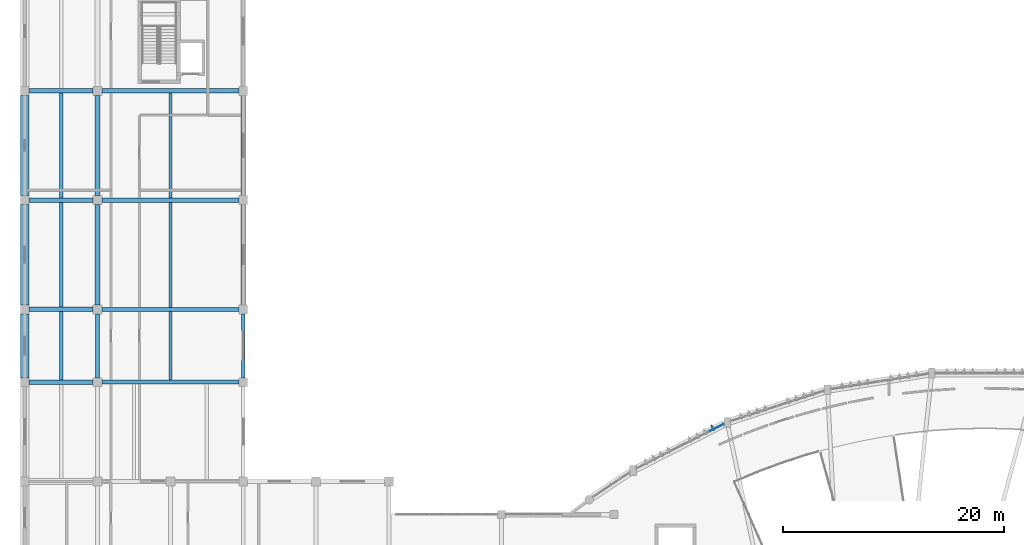
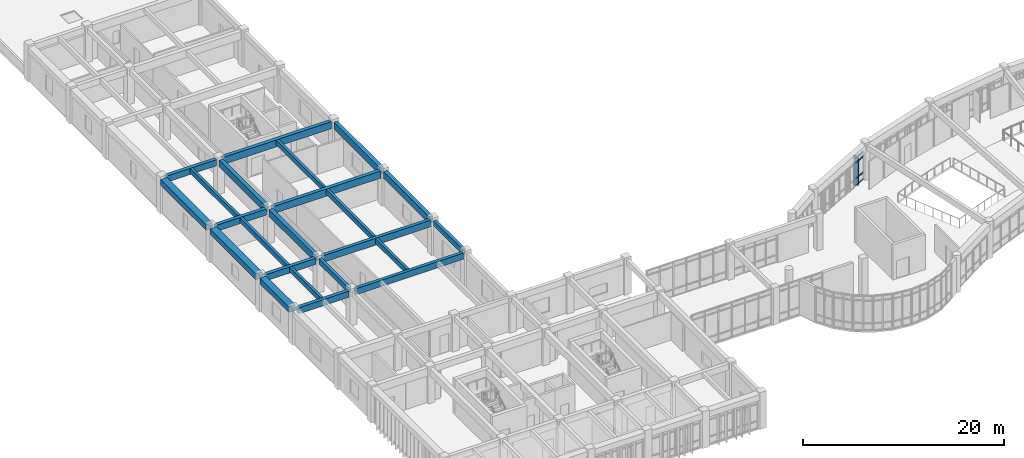
# One storey, part 11 of 54: 23 beams, 5 members, 1 element without a shape of its own.
"""IFC4 building model written with IfcOpenShell, lengths in metres."""

from ifc_helpers import new_model, si_unit, direction, frame, origin, origin_2d, place, context, subcontext, project, spatial, rectangle, extrude, material, layer, layer_set, material_profile, profile_set, type_object, element, aggregate, save


model = new_model("IFC4")

# Units and contexts
model_context = context("Model", 3, precision=1e-05, world=origin(), true_north=direction((0.0, 1.0)))
body_context = subcontext(model_context, "Body", "Model", "MODEL_VIEW")
ifc_project = project(units=[si_unit("LENGTHUNIT", "METRE"), si_unit("AREAUNIT", "SQUARE_METRE"), si_unit("VOLUMEUNIT", "CUBIC_METRE"), si_unit("PLANEANGLEUNIT", "RADIAN"), si_unit("MASSUNIT", "GRAM", prefix="KILO")], contexts=[model_context])

# Site, building, storey
site_placement = place(None, origin())
site = spatial("IfcSite", under=ifc_project, at=site_placement, CompositionType="ELEMENT")
building_placement = place(site_placement, origin())
building = spatial("IfcBuilding", under=site, at=building_placement, Name="Miralva Faculty of Natural Sciences", CompositionType="ELEMENT")
storey_placement = place(building_placement, frame((0.0, 0.0, 19.5)))
storey = spatial("IfcBuildingStorey", under=building, at=storey_placement, Name="L04", CompositionType="ELEMENT", Elevation=19.5)

# Beams
ifc_material_1 = material(Name="Concrete C40/50", Category="concrete")
ifc_material_profile_1 = material_profile(ifc_material_1, rectangle(XDim=0.449951171875, YDim=0.85009765625, at=origin_2d()), Name="RC 450x850")
ifc_profile_set_1 = profile_set([ifc_material_profile_1], Name="Concrete C40/50")
beam_type_1 = type_object("IfcBeamType", Name="BM-B01", PredefinedType="BEAM", material=ifc_profile_set_1)
for number, where, z_axis, x_axis, name in (
    (1, (9.60009765625, 46.0, 3.7548828125), (0.0, 1.0, 0.0), (-1.0, 0.0, 0.0), "Girder NS L04-51"),
    (2, (9.60009765625, 55.89990234375, 3.7548828125), (0.0, 1.0, 0.0), (-1.0, 0.0, 0.0), "Girder NS L04-52"),
    (3, (22.800048828125, 46.0, 3.7548828125), (0.0, 1.0, 0.0), (-1.0, 0.0, 0.0), "Girder NS L04-64"),
    (4, (22.800048828125, 55.89990234375, 3.7548828125), (0.0, 1.0, 0.0), (-1.0, 0.0, 0.0), "Girder NS L04-65"),
):
    element("IfcBeam", number, at=place(storey_placement, frame(where, z_axis=z_axis, x_axis=x_axis)), inside=storey, type_object=beam_type_1, Name=name, PredefinedType="BEAM", context=body_context, shape_type="SweptSolid", body=[
        extrude(rectangle(XDim=0.449951171875, YDim=0.85009765625, at=origin_2d()), origin(), (0.0, 0.0, 1.0), 9.10009765625),
    ])
ifc_material_profile_2 = material_profile(ifc_material_1, rectangle(XDim=0.39990234375, YDim=0.75, at=origin_2d()), Name="RC 400x750")
ifc_profile_set_2 = profile_set([ifc_material_profile_2], Name="Concrete C40/50")
beam_type_2 = type_object("IfcBeamType", Name="BM-B03", PredefinedType="BEAM", material=ifc_profile_set_2)
for number, where, z_axis, x_axis, name in (
    (5, (3.39990234375, 39.0, 3.804931640625), (1.0, 0.0, 0.0), (0.0, 1.0, 0.0), "Girder EW L04-22"),
    (6, (3.39990234375, 45.60009765625, 3.804931640625), (1.0, 0.0, 0.0), (0.0, 1.0, 0.0), "Girder EW L04-24"),
    (7, (3.39990234375, 55.5, 3.804931640625), (1.0, 0.0, 0.0), (0.0, 1.0, 0.0), "Girder EW L04-26"),
    (8, (3.39990234375, 65.39990234375, 3.804931640625), (1.0, 0.0, 0.0), (0.0, 1.0, 0.0), "Girder EW L04-28"),
):
    element("IfcBeam", number, at=place(storey_placement, frame(where, z_axis=z_axis, x_axis=x_axis)), inside=storey, type_object=beam_type_2, Name=name, PredefinedType="BEAM", context=body_context, shape_type="SweptSolid", body=[
        extrude(rectangle(XDim=0.39990234375, YDim=0.75, at=origin_2d()), origin(), (0.0, 0.0, 1.0), 5.800048828125),
    ])
ifc_material_profile_3 = material_profile(ifc_material_1, rectangle(XDim=0.35009765625, YDim=0.64990234375, at=origin_2d()), Name="RC 350x650")
ifc_profile_set_3 = profile_set([ifc_material_profile_3], Name="Concrete C40/50")
beam_type_3 = type_object("IfcBeamType", Name="BM-B05", PredefinedType="BEAM", material=ifc_profile_set_3)
for number, where, z_axis, x_axis, name in (
    (9, (9.60009765625, 39.39990234375, 3.85498046875), (0.0, 1.0, 0.0), (-1.0, 0.0, 0.0), "Girder NS L04-50"),
    (10, (22.800048828125, 39.39990234375, 3.85498046875), (0.0, 1.0, 0.0), (-1.0, 0.0, 0.0), "Girder NS L04-63"),
):
    element("IfcBeam", number, at=place(storey_placement, frame(where, z_axis=z_axis, x_axis=x_axis)), inside=storey, type_object=beam_type_3, Name=name, PredefinedType="BEAM", context=body_context, shape_type="SweptSolid", body=[
        extrude(rectangle(XDim=0.35009765625, YDim=0.64990234375, at=origin_2d()), origin(), (0.0, 0.0, 1.0), 5.800048828125),
    ])
ifc_material_profile_4 = material_profile(ifc_material_1, rectangle(XDim=0.360107421875, YDim=0.760009765625, at=origin_2d()), Name="RC 360x760")
ifc_profile_set_4 = profile_set([ifc_material_profile_4], Name="Concrete C40/50")
beam_type_4 = type_object("IfcBeamType", Name="BM-BG06", PredefinedType="BEAM", material=ifc_profile_set_4)
beam_1_placement = place(storey_placement, frame((10.0, 39.0, 3.800048828125), z_axis=(1.0, 0.0, 0.0), x_axis=(0.0, 1.0, 0.0)))
element("IfcBeam", 11, at=beam_1_placement, inside=storey, type_object=beam_type_4, Name="Girder EW L04-23", PredefinedType="BEAM", context=body_context, shape_type="SweptSolid", body=[
    extrude(rectangle(XDim=0.360107421875, YDim=0.760009765625, at=origin_2d()), origin(), (0.0, 0.0, 1.0), 12.39990234375),
])
ifc_material_profile_5 = material_profile(ifc_material_1, rectangle(XDim=0.3798828125, YDim=0.820068359375, at=origin_2d()), Name="RC 380x820")
ifc_profile_set_5 = profile_set([ifc_material_profile_5], Name="Concrete C40/50")
beam_type_5 = type_object("IfcBeamType", Name="BM-BG08", PredefinedType="BEAM", material=ifc_profile_set_5)
beam_2_placement = place(storey_placement, frame((10.0, 45.60009765625, 3.77001953125), z_axis=(1.0, 0.0, 0.0), x_axis=(0.0, 1.0, 0.0)))
element("IfcBeam", 12, at=beam_2_placement, inside=storey, type_object=beam_type_5, Name="Girder EW L04-25", PredefinedType="BEAM", context=body_context, shape_type="SweptSolid", body=[
    extrude(rectangle(XDim=0.3798828125, YDim=0.820068359375, at=origin_2d()), origin(), (0.0, 0.0, 1.0), 12.39990234375),
])
ifc_material_profile_6 = material_profile(ifc_material_1, rectangle(XDim=0.39990234375, YDim=0.8798828125, at=origin_2d()), Name="RC 400x880")
ifc_profile_set_6 = profile_set([ifc_material_profile_6], Name="Concrete C40/50")
beam_type_6 = type_object("IfcBeamType", Name="BM-BG10", PredefinedType="BEAM", material=ifc_profile_set_6)
beam_3_placement = place(storey_placement, frame((10.0, 55.5, 3.739990234375), z_axis=(1.0, 0.0, 0.0), x_axis=(0.0, 1.0, 0.0)))
element("IfcBeam", 13, at=beam_3_placement, inside=storey, type_object=beam_type_6, Name="Girder EW L04-27", PredefinedType="BEAM", context=body_context, shape_type="SweptSolid", body=[
    extrude(rectangle(XDim=0.39990234375, YDim=0.8798828125, at=origin_2d()), origin(), (0.0, 0.0, 1.0), 12.39990234375),
])
ifc_material_profile_7 = material_profile(ifc_material_1, rectangle(XDim=0.419921875, YDim=0.860107421875, at=origin_2d()), Name="RC 420x860")
ifc_profile_set_7 = profile_set([ifc_material_profile_7], Name="Concrete C40/50")
beam_type_7 = type_object("IfcBeamType", Name="BM-BG12", PredefinedType="BEAM", material=ifc_profile_set_7)
beam_4_placement = place(storey_placement, frame((10.0, 65.39990234375, 3.75), z_axis=(1.0, 0.0, 0.0), x_axis=(0.0, 1.0, 0.0)))
element("IfcBeam", 14, at=beam_4_placement, inside=storey, type_object=beam_type_7, Name="Girder EW L04-29", PredefinedType="BEAM", context=body_context, shape_type="SweptSolid", body=[
    extrude(rectangle(XDim=0.419921875, YDim=0.860107421875, at=origin_2d()), origin(), (0.0, 0.0, 1.0), 12.39990234375),
])
ifc_material_profile_8 = material_profile(ifc_material_1, rectangle(XDim=0.300048828125, YDim=0.60009765625, at=origin_2d()), Name="RC 300x600")
ifc_profile_set_8 = profile_set([ifc_material_profile_8], Name="Concrete C40/50")
beam_type_8 = type_object("IfcBeamType", Name="BM-J01", PredefinedType="JOIST", material=ifc_profile_set_8)
beam_5_placement = place(storey_placement, frame((6.300048828125, 39.199951171875, 3.8798828125), z_axis=(0.0, 1.0, 0.0), x_axis=(-1.0, 0.0, 0.0)))
element("IfcBeam", 15, at=beam_5_placement, inside=storey, type_object=beam_type_8, Name="Floor joist L04-9", PredefinedType="JOIST", context=body_context, shape_type="SweptSolid", body=[
    extrude(rectangle(XDim=0.300048828125, YDim=0.60009765625, at=origin_2d()), origin(), (0.0, 0.0, 1.0), 6.199951171875),
])
beam_6_placement = place(storey_placement, frame((16.199951171875, 39.179931640625, 3.8798828125), z_axis=(0.0, 1.0, 0.0), x_axis=(-1.0, 0.0, 0.0)))
element("IfcBeam", 16, at=beam_6_placement, inside=storey, type_object=beam_type_8, Name="Floor joist L04-10", PredefinedType="JOIST", context=body_context, shape_type="SweptSolid", body=[
    extrude(rectangle(XDim=0.300048828125, YDim=0.60009765625, at=origin_2d()), origin(), (0.0, 0.0, 1.0), 6.22998046875),
])
beam_7_placement = place(storey_placement, frame((6.300048828125, 45.800048828125, 3.8798828125), z_axis=(0.0, 1.0, 0.0), x_axis=(-1.0, 0.0, 0.0)))
element("IfcBeam", 17, at=beam_7_placement, inside=storey, type_object=beam_type_8, Name="Floor joist L04-11", PredefinedType="JOIST", context=body_context, shape_type="SweptSolid", body=[
    extrude(rectangle(XDim=0.300048828125, YDim=0.60009765625, at=origin_2d()), origin(), (0.0, 0.0, 1.0), 9.5),
])
beam_8_placement = place(storey_placement, frame((16.199951171875, 45.7900390625, 3.8798828125), z_axis=(0.0, 1.0, 0.0), x_axis=(-1.0, 0.0, 0.0)))
element("IfcBeam", 18, at=beam_8_placement, inside=storey, type_object=beam_type_8, Name="Floor joist L04-12", PredefinedType="JOIST", context=body_context, shape_type="SweptSolid", body=[
    extrude(rectangle(XDim=0.300048828125, YDim=0.60009765625, at=origin_2d()), origin(), (0.0, 0.0, 1.0), 9.510009765625),
])
beam_9_placement = place(storey_placement, frame((6.300048828125, 55.699951171875, 3.8798828125), z_axis=(0.0, 1.0, 0.0), x_axis=(-1.0, 0.0, 0.0)))
element("IfcBeam", 19, at=beam_9_placement, inside=storey, type_object=beam_type_8, Name="Floor joist L04-13", PredefinedType="JOIST", context=body_context, shape_type="SweptSolid", body=[
    extrude(rectangle(XDim=0.300048828125, YDim=0.60009765625, at=origin_2d()), origin(), (0.0, 0.0, 1.0), 9.5),
])
beam_10_placement = place(storey_placement, frame((16.199951171875, 55.699951171875, 3.8798828125), z_axis=(0.0, 1.0, 0.0), x_axis=(-1.0, 0.0, 0.0)))
element("IfcBeam", 20, at=beam_10_placement, inside=storey, type_object=beam_type_8, Name="Floor joist L04-14", PredefinedType="JOIST", context=body_context, shape_type="SweptSolid", body=[
    extrude(rectangle(XDim=0.300048828125, YDim=0.60009765625, at=origin_2d()), origin(), (0.0, 0.0, 1.0), 9.489990234375),
])
ifc_material_profile_9 = material_profile(ifc_material_1, rectangle(XDim=0.75, YDim=0.699951171875, at=origin_2d()), Name="RC 750x700")
ifc_profile_set_9 = profile_set([ifc_material_profile_9], Name="Concrete C40/50")
beam_type_9 = type_object("IfcBeamType", Name="BM-SP01", PredefinedType="SPANDREL", material=ifc_profile_set_9)
beam_11_placement = place(storey_placement, frame((3.0, 39.39990234375, 3.830078125), z_axis=(0.0, 1.0, 0.0), x_axis=(-1.0, 0.0, 0.0)))
element("IfcBeam", 21, at=beam_11_placement, inside=storey, type_object=beam_type_9, Name="Girder NS L04-40", PredefinedType="SPANDREL", context=body_context, shape_type="SweptSolid", body=[
    extrude(rectangle(XDim=0.75, YDim=0.699951171875, at=origin_2d()), origin(), (0.0, 0.0, 1.0), 5.800048828125),
])
for number, where, z_axis, x_axis, name in (
    (22, (3.0, 46.0, 3.830078125), (0.0, 1.0, 0.0), (-1.0, 0.0, 0.0), "Girder NS L04-41"),
    (23, (3.0, 55.89990234375, 3.830078125), (0.0, 1.0, 0.0), (-1.0, 0.0, 0.0), "Girder NS L04-42"),
):
    element("IfcBeam", number, at=place(storey_placement, frame(where, z_axis=z_axis, x_axis=x_axis)), inside=storey, type_object=beam_type_9, Name=name, PredefinedType="SPANDREL", context=body_context, shape_type="SweptSolid", body=[
        extrude(rectangle(XDim=0.75, YDim=0.699951171875, at=origin_2d()), origin(), (0.0, 0.0, 1.0), 9.10009765625),
    ])

# Curtain wall, members
ifc_material_2 = material(Name="Laminated solar-control glass", Category="glass")
ifc_layer = layer(ifc_material_2, 0.179931640625, Name="CW-ARC-L03")
ifc_layer_set = layer_set([ifc_layer], Name="Laminated solar-control glass")
curtain_wall_type = type_object("IfcCurtainWallType", Name="CW-ARC-L03", PredefinedType="USERDEFINED", material=ifc_layer_set)
curtain_wall_placement = place(storey_placement, origin())
curtain_wall = element("IfcCurtainWall", 24, at=curtain_wall_placement, inside=storey, type_object=curtain_wall_type, Name="Curtain wall CW-03 L04-176", ObjectType="UNITISED CURTAIN WALL", PredefinedType="USERDEFINED")
ifc_material_3 = material(Name="Anodised aluminium", Category="aluminium")
ifc_material_profile_10 = material_profile(ifc_material_3, rectangle(XDim=0.06005859375, YDim=0.1201171875, at=origin_2d()), Name="TRANSOM 60x120")
ifc_profile_set_10 = profile_set([ifc_material_profile_10], Name="Anodised aluminium")
member_type_1 = type_object("IfcMemberType", Name="CW-T02", PredefinedType="USERDEFINED", material=ifc_profile_set_10)
member_1_placement = place(storey_placement, frame((65.0751953125, 34.551025390625, 0.030029296875), z_axis=(0.891004754487, 0.453993972958, 0.0), x_axis=(-0.453993972958, 0.891004754487, 0.0)))
member_1 = element("IfcMember", 25, at=member_1_placement, type_object=member_type_1, Name="CW-03 transom 3.1", ObjectType="TRANSOM", PredefinedType="USERDEFINED", context=body_context, shape_type="SweptSolid", body=[
    extrude(rectangle(XDim=0.06005859375, YDim=0.1201171875, at=origin_2d()), origin(), (0.0, 0.0, 1.0), 1.39453125),
])
member_2_placement = place(storey_placement, frame((65.0751953125, 34.551025390625, 0.89990234375), z_axis=(0.891004754487, 0.453993972958, 0.0), x_axis=(-0.453993972958, 0.891004754487, 0.0)))
member_2 = element("IfcMember", 26, at=member_2_placement, type_object=member_type_1, Name="CW-03 transom 3.2", ObjectType="TRANSOM", PredefinedType="USERDEFINED", context=body_context, shape_type="SweptSolid", body=[
    extrude(rectangle(XDim=0.06005859375, YDim=0.1201171875, at=origin_2d()), origin(), (0.0, 0.0, 1.0), 1.39453125),
])
member_3_placement = place(storey_placement, frame((65.0751953125, 34.551025390625, 2.804931640625), z_axis=(0.891004754487, 0.453993972958, 0.0), x_axis=(-0.453993972958, 0.891004754487, 0.0)))
member_3 = element("IfcMember", 27, at=member_3_placement, type_object=member_type_1, Name="CW-03 transom 3.3", ObjectType="TRANSOM", PredefinedType="USERDEFINED", context=body_context, shape_type="SweptSolid", body=[
    extrude(rectangle(XDim=0.06005859375, YDim=0.1201171875, at=origin_2d()), origin(), (0.0, 0.0, 1.0), 1.39453125),
])
member_4_placement = place(storey_placement, frame((65.0751953125, 34.551025390625, 3.375), z_axis=(0.891004754487, 0.453993972958, 0.0), x_axis=(-0.453993972958, 0.891004754487, 0.0)))
member_4 = element("IfcMember", 28, at=member_4_placement, type_object=member_type_1, Name="CW-03 transom 3.4", ObjectType="TRANSOM", PredefinedType="USERDEFINED", context=body_context, shape_type="SweptSolid", body=[
    extrude(rectangle(XDim=0.06005859375, YDim=0.1201171875, at=origin_2d()), origin(), (0.0, 0.0, 1.0), 1.39453125),
])
aggregate(curtain_wall, [member_1, member_2, member_3, member_4])

# Member
ifc_material_profile_11 = material_profile(ifc_material_3, rectangle(XDim=0.080078125, YDim=0.550048828125, at=origin_2d()), Name="FIN 550x80")
ifc_profile_set_11 = profile_set([ifc_material_profile_11], Name="Anodised aluminium")
member_type_2 = type_object("IfcMemberType", Name="MEM-SF01", PredefinedType="USERDEFINED", material=ifc_profile_set_11)
member_5_placement = place(storey_placement, frame((65.336669921875, 34.86376953125, -0.239990234375), z_axis=(0.0, 0.0, 1.0), x_axis=(-0.891006524188, -0.45399049974, 0.0)))
element("IfcMember", 29, at=member_5_placement, inside=storey, type_object=member_type_2, Name="Solar shading fin SF-01 L04-140", ObjectType="SUNSHADE", PredefinedType="USERDEFINED", context=body_context, shape_type="SweptSolid", body=[
    extrude(rectangle(XDim=0.080078125, YDim=0.550048828125, at=origin_2d()), origin(), (0.0, 0.0, 1.0), 3.64501953125),
])

save(model, "model.ifc")
